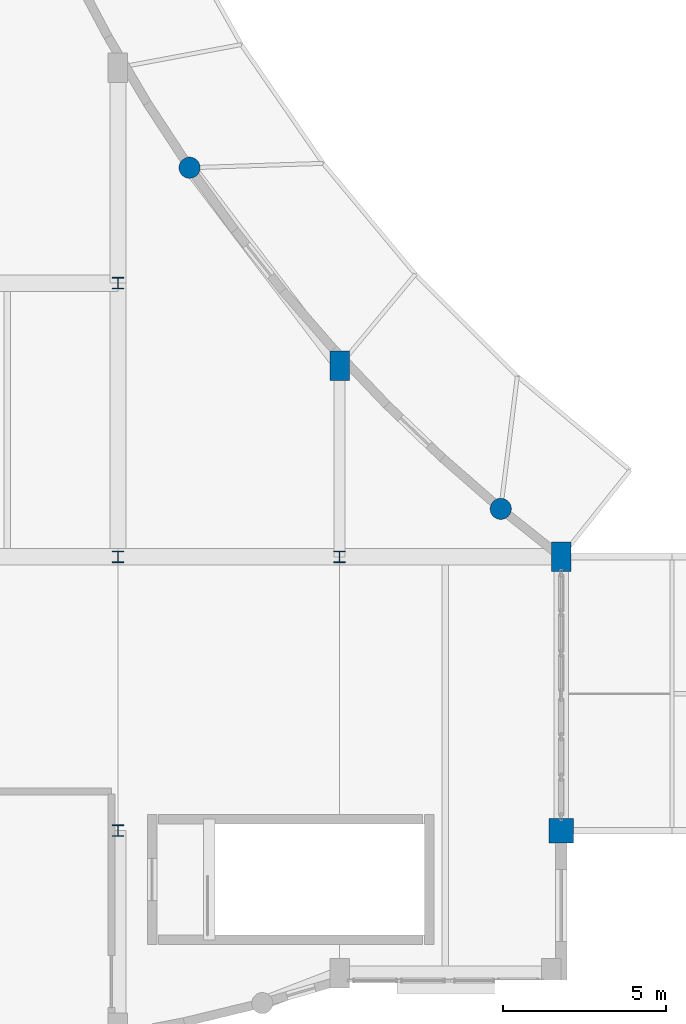
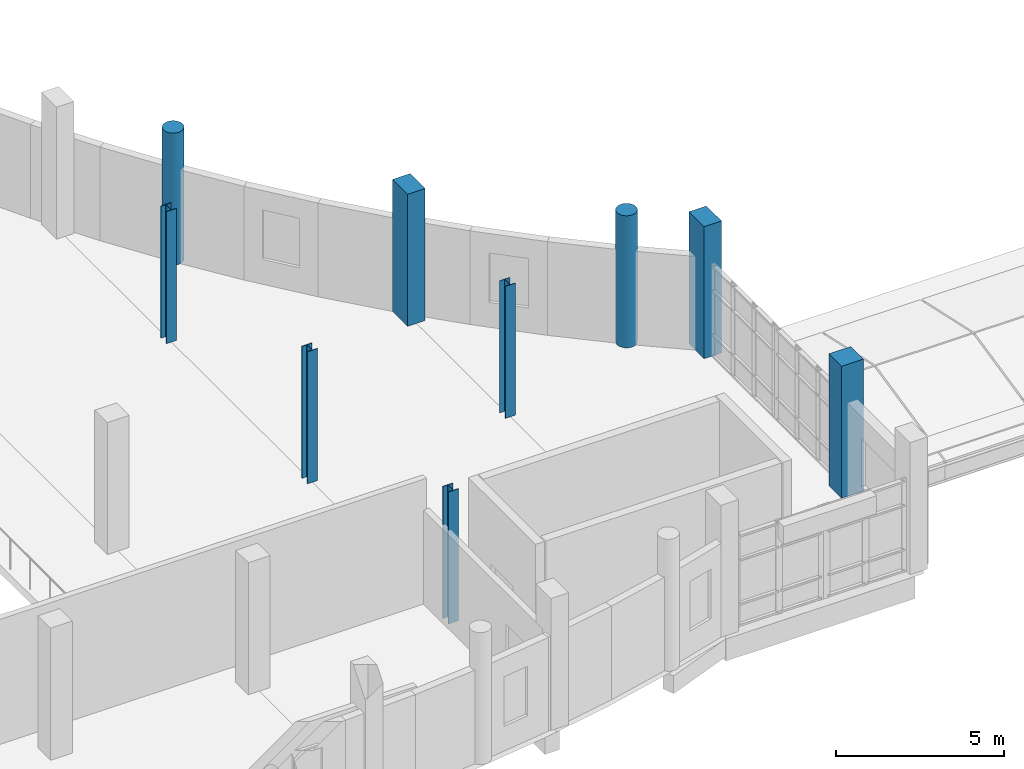
# One storey, part 2 of 106: 9 columns.
"""IFC4 building model written with IfcOpenShell, lengths in metres."""

from ifc_helpers import new_model, si_unit, direction, frame, origin, origin_2d, place, context, subcontext, project, spatial, rectangle, circle, i_section, extrude, material, material_profile, profile_set, type_object, element, save


model = new_model("IFC4")

# Units and contexts
model_context = context("Model", 3, precision=1e-05, world=origin(), true_north=direction((0.0, 1.0)))
body_context = subcontext(model_context, "Body", "Model", "MODEL_VIEW")
ifc_project = project(units=[si_unit("LENGTHUNIT", "METRE"), si_unit("AREAUNIT", "SQUARE_METRE"), si_unit("VOLUMEUNIT", "CUBIC_METRE"), si_unit("PLANEANGLEUNIT", "RADIAN"), si_unit("MASSUNIT", "GRAM", prefix="KILO")], contexts=[model_context])

# Site, building, storey
site_placement = place(None, origin())
site = spatial("IfcSite", under=ifc_project, at=site_placement, CompositionType="ELEMENT")
building_placement = place(site_placement, origin())
building = spatial("IfcBuilding", under=site, at=building_placement, Name="Kisaragi Civic Commons", CompositionType="ELEMENT")
storey_placement = place(building_placement, frame((0.0, 0.0, 4.800048828125)))
storey = spatial("IfcBuildingStorey", under=building, at=storey_placement, Name="L01", CompositionType="ELEMENT", Elevation=4.800048828125)

# Columns
ifc_material_1 = material(Name="Concrete Fc36", Category="concrete")
ifc_material_profile_1 = material_profile(ifc_material_1, rectangle(XDim=0.75, YDim=0.75, at=origin_2d()), Name="RC-750x750", Category="concrete")
ifc_profile_set_1 = profile_set([ifc_material_profile_1], Name="Concrete Fc36")
column_type_1 = type_object("IfcColumnType", Name="C-06", PredefinedType="COLUMN", material=ifc_profile_set_1)
column_placement = place(storey_placement, frame((47.60009765625, 8.39990234375, 0.0), z_axis=(0.0, 0.0, 1.0), x_axis=(1.0, 0.0, 0.0)))
element("IfcColumn", 1, at=column_placement, inside=storey, type_object=column_type_1, Name="L01 column C-06 (47.6,8.4)", PredefinedType="COLUMN", context=body_context, shape_type="SweptSolid", body=[
    extrude(rectangle(XDim=0.75, YDim=0.75, at=origin_2d()), origin(), (0.0, 0.0, 1.0), 4.800048828125),
])
ifc_material_profile_2 = material_profile(ifc_material_1, rectangle(XDim=0.60009765625, YDim=0.89990234375, at=origin_2d()), Name="RC-600x900", Category="concrete")
ifc_profile_set_2 = profile_set([ifc_material_profile_2], Name="Concrete Fc36")
column_type_2 = type_object("IfcColumnType", Name="C-09", PredefinedType="COLUMN", material=ifc_profile_set_2)
for number, where, z_axis, x_axis, name in (
    (2, (40.800048828125, 22.66796875, 0.0), (0.0, 0.0, 1.0), (1.0, 0.0, 0.0), "L01 column C-09 (40.8,22.7)"),
    (3, (47.60009765625, 16.800048828125, 0.0), (0.0, 0.0, 1.0), (1.0, 0.0, 0.0), "L01 column C-09 (47.6,16.8)"),
):
    element("IfcColumn", number, at=place(storey_placement, frame(where, z_axis=z_axis, x_axis=x_axis)), inside=storey, type_object=column_type_2, Name=name, PredefinedType="COLUMN", context=body_context, shape_type="SweptSolid", body=[
        extrude(rectangle(XDim=0.60009765625, YDim=0.89990234375, at=origin_2d()), origin(), (0.0, 0.0, 1.0), 4.800048828125),
    ])
ifc_material_2 = material(Name="Concrete Fc30", Category="concrete")
ifc_material_profile_3 = material_profile(ifc_material_2, circle(Radius=0.324951171875, at=origin_2d()), Name="RC-D650", Category="concrete")
ifc_profile_set_3 = profile_set([ifc_material_profile_3], Name="Concrete Fc30")
column_type_3 = type_object("IfcColumnType", Name="C-12", PredefinedType="COLUMN", material=ifc_profile_set_3)
for number, where, z_axis, x_axis, name in (
    (4, (36.19873046875, 28.740966796875, 0.0), (0.0, 0.0, 1.0), (1.0, 0.0, 0.0), "L01 column C-12 (36.2,28.7)"),
    (5, (45.746337890625, 18.274169921875, 0.0), (0.0, 0.0, 1.0), (1.0, 0.0, 0.0), "L01 column C-12 (45.7,18.3)"),
):
    element("IfcColumn", number, at=place(storey_placement, frame(where, z_axis=z_axis, x_axis=x_axis)), inside=storey, type_object=column_type_3, Name=name, PredefinedType="COLUMN", context=body_context, shape_type="SweptSolid", body=[
        extrude(circle(Radius=0.324951171875, at=origin_2d()), origin(), (0.0, 0.0, 1.0), 4.800048828125),
    ])
ifc_material_3 = material(Name="Steel SN490 (SN490B)", Category="steel")
ifc_material_profile_4 = material_profile(ifc_material_3, i_section(OverallWidth=0.35009765625, OverallDepth=0.35009765625, WebThickness=0.011962890625, FlangeThickness=0.01904296875, FilletRadius=0.012939453125, at=origin_2d()), Name="H-350x350x12x19", Category="steel")
ifc_profile_set_4 = profile_set([ifc_material_profile_4], Name="Steel SN490 (SN490B)")
column_type_4 = type_object("IfcColumnType", Name="C-17", PredefinedType="COLUMN", material=ifc_profile_set_4)
for number, where, z_axis, x_axis, name in (
    (6, (34.0, 8.39990234375, 0.0), (0.0, 0.0, 1.0), (1.0, 0.0, 0.0), "L01 column C-17 (34.0,8.4)"),
    (7, (34.0, 16.800048828125, 0.0), (0.0, 0.0, 1.0), (1.0, 0.0, 0.0), "L01 column C-17 (34.0,16.8)"),
    (8, (34.0, 25.199951171875, 0.0), (0.0, 0.0, 1.0), (1.0, 0.0, 0.0), "L01 column C-17 (34.0,25.2)"),
    (9, (40.800048828125, 16.800048828125, 0.0), (0.0, 0.0, 1.0), (1.0, 0.0, 0.0), "L01 column C-17 (40.8,16.8)"),
):
    element("IfcColumn", number, at=place(storey_placement, frame(where, z_axis=z_axis, x_axis=x_axis)), inside=storey, type_object=column_type_4, Name=name, PredefinedType="COLUMN", context=body_context, shape_type="SweptSolid", body=[
        extrude(i_section(OverallWidth=0.35009765625, OverallDepth=0.35009765625, WebThickness=0.011962890625, FlangeThickness=0.01904296875, FilletRadius=0.012939453125, at=origin_2d()), origin(), (0.0, 0.0, 1.0), 4.800048828125),
    ])

save(model, "model.ifc")
